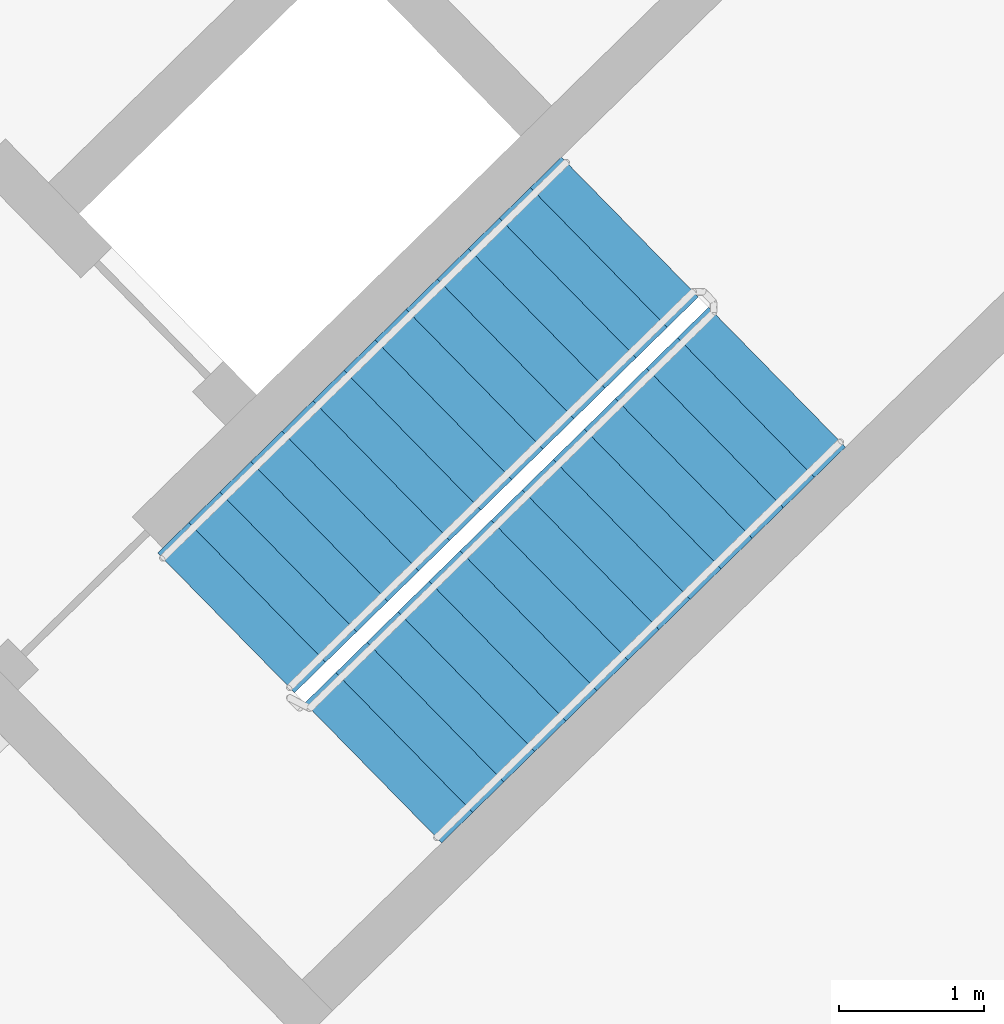
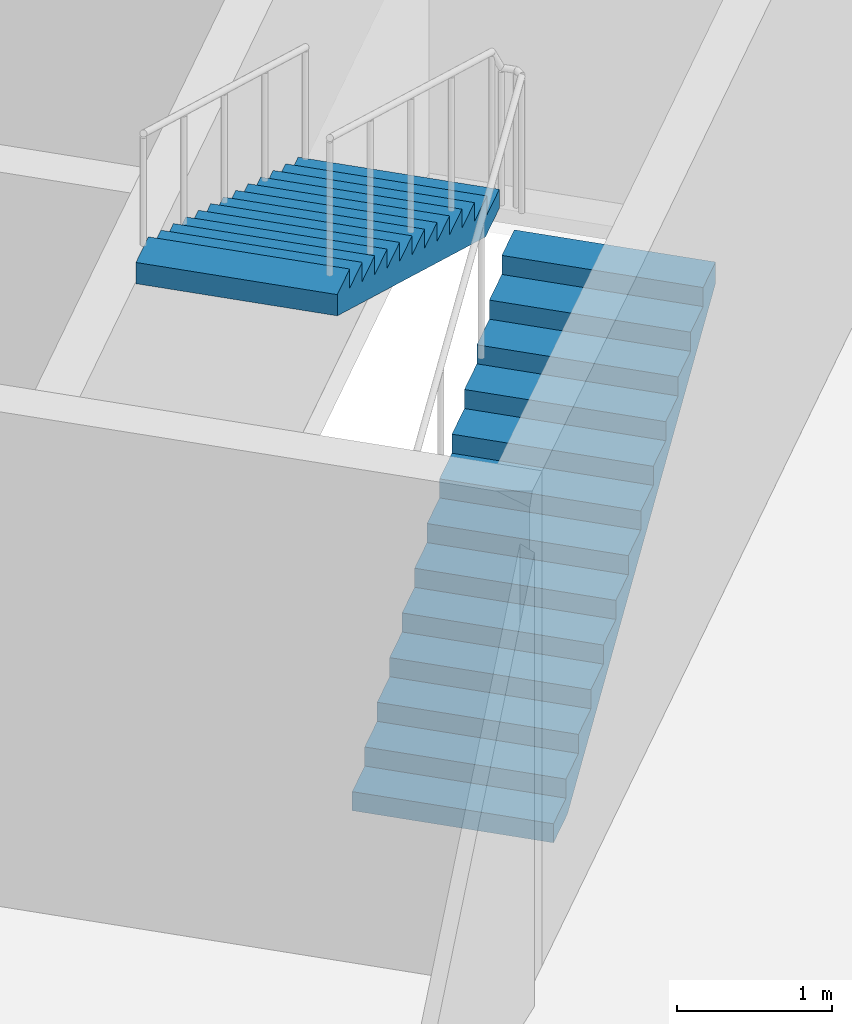
# One storey, part 9 of 11: 2 stair flights, 1 element without a shape of its own.
"""IFC4 building model written with IfcOpenShell, lengths in metres."""

from ifc_helpers import new_model, si_unit, direction, frame, origin, place, context, subcontext, project, spatial, polyline, outline, extrude, material, type_object, element, aggregate, save


model = new_model("IFC4")

# Units and contexts
model_context = context("Model", 3, precision=1e-05, world=origin(), true_north=direction((0.0, 1.0)))
body_context = subcontext(model_context, "Body", "Model", "MODEL_VIEW")
ifc_project = project(units=[si_unit("LENGTHUNIT", "METRE"), si_unit("AREAUNIT", "SQUARE_METRE"), si_unit("VOLUMEUNIT", "CUBIC_METRE"), si_unit("PLANEANGLEUNIT", "RADIAN"), si_unit("MASSUNIT", "GRAM", prefix="KILO")], contexts=[model_context])

# Site, building, storey
site_placement = place(None, origin())
site = spatial("IfcSite", under=ifc_project, at=site_placement, CompositionType="ELEMENT")
building_placement = place(site_placement, origin())
building = spatial("IfcBuilding", under=site, at=building_placement, Name="Tuul Gate Civic Tower", CompositionType="ELEMENT")
storey_placement = place(building_placement, frame((0.0, 0.0, 65.39990234375)))
storey = spatial("IfcBuildingStorey", under=building, at=storey_placement, Name="Level 14", CompositionType="ELEMENT", Elevation=65.39990234375)

# Stair, stair flights
ifc_material_1 = material(Name="Concrete C40/50", Category="concrete")
stair_type = type_object("IfcStairType", Name="Exit stair", PredefinedType="HALF_TURN_STAIR", material=ifc_material_1)
stair_placement = place(storey_placement, origin())
stair = element("IfcStair", 1, at=stair_placement, inside=storey, type_object=stair_type, Name="Level 14 ST-3", PredefinedType="HALF_TURN_STAIR")
ifc_material_2 = material(Name="Concrete C40/50", Category="concrete")
stair_flight_type = type_object("IfcStairFlightType", Name="Exit stair flight", PredefinedType="STRAIGHT", material=ifc_material_2)
stair_flight_1_placement = place(storey_placement, frame((48.61376953125, -16.581787109375, 0.0), z_axis=(0.0, 0.0, 1.0), x_axis=(0.714127290059, 0.700015866672, 0.0)))
stair_flight_1 = element("IfcStairFlight", 2, at=stair_flight_1_placement, type_object=stair_flight_type, Name="ST-3 flight 1", NumberOfRisers=14, NumberOfTreads=13, PredefinedType="STRAIGHT", RiserHeight=0.15, TreadLength=0.3, context=body_context, shape_type="SweptSolid", body=[
    extrude(outline(polyline([(0.0, 0.0), (0.0, 0.14990234375), (0.300048828125, 0.14990234375), (0.300048828125, 0.300048828125), (0.60009765625, 0.300048828125), (0.60009765625, 0.449951171875), (0.89990234375, 0.449951171875), (0.89990234375, 0.60009765625), (1.199951171875, 0.60009765625), (1.199951171875, 0.75), (1.5, 0.75), (1.5, 0.89990234375), (1.800048828125, 0.89990234375), (1.800048828125, 1.050048828125), (2.10009765625, 1.050048828125), (2.10009765625, 1.199951171875), (2.39990234375, 1.199951171875), (2.39990234375, 1.35009765625), (2.699951171875, 1.35009765625), (2.699951171875, 1.5), (3.0, 1.5), (3.0, 1.64990234375), (3.300048828125, 1.64990234375), (3.300048828125, 1.800048828125), (3.60009765625, 1.800048828125), (3.60009765625, 1.949951171875), (3.89990234375, 1.949951171875), (3.89990234375, 2.10009765625), (3.89990234375, 1.782470703125), (0.335205078125, 0.0), (0.0, 0.0)])), frame((0.0, 0.675048828125, 0.0), z_axis=(0.0, -1.0, 0.0), x_axis=(1.0, 0.0, 0.0)), (0.0, 0.0, 1.0), 1.35009765625),
])
stair_flight_2_placement = place(storey_placement, frame((50.3837890625, -12.816162109375, 2.10009765625), z_axis=(0.0, 0.0, 1.0), x_axis=(-0.714127290059, -0.700015866672, 0.0)))
stair_flight_2 = element("IfcStairFlight", 3, at=stair_flight_2_placement, type_object=stair_flight_type, Name="ST-3 flight 2", NumberOfRisers=14, NumberOfTreads=13, PredefinedType="STRAIGHT", RiserHeight=0.15, TreadLength=0.3, context=body_context, shape_type="SweptSolid", body=[
    extrude(outline(polyline([(0.0, 0.0), (0.0, 0.14990234375), (0.300048828125, 0.14990234375), (0.300048828125, 0.300048828125), (0.60009765625, 0.300048828125), (0.60009765625, 0.449951171875), (0.89990234375, 0.449951171875), (0.89990234375, 0.60009765625), (1.199951171875, 0.60009765625), (1.199951171875, 0.75), (1.5, 0.75), (1.5, 0.89990234375), (1.800048828125, 0.89990234375), (1.800048828125, 1.050048828125), (2.10009765625, 1.050048828125), (2.10009765625, 1.199951171875), (2.39990234375, 1.199951171875), (2.39990234375, 1.35009765625), (2.699951171875, 1.35009765625), (2.699951171875, 1.5), (3.0, 1.5), (3.0, 1.64990234375), (3.300048828125, 1.64990234375), (3.300048828125, 1.800048828125), (3.60009765625, 1.800048828125), (3.60009765625, 1.949951171875), (3.89990234375, 1.949951171875), (3.89990234375, 2.10009765625), (3.89990234375, 1.782470703125), (0.335205078125, 0.0), (0.0, 0.0)])), frame((0.0, 0.675048828125, 0.0), z_axis=(0.0, -1.0, 0.0), x_axis=(1.0, 0.0, 0.0)), (0.0, 0.0, 1.0), 1.35009765625),
])
aggregate(stair, [stair_flight_1, stair_flight_2])

save(model, "model.ifc")
